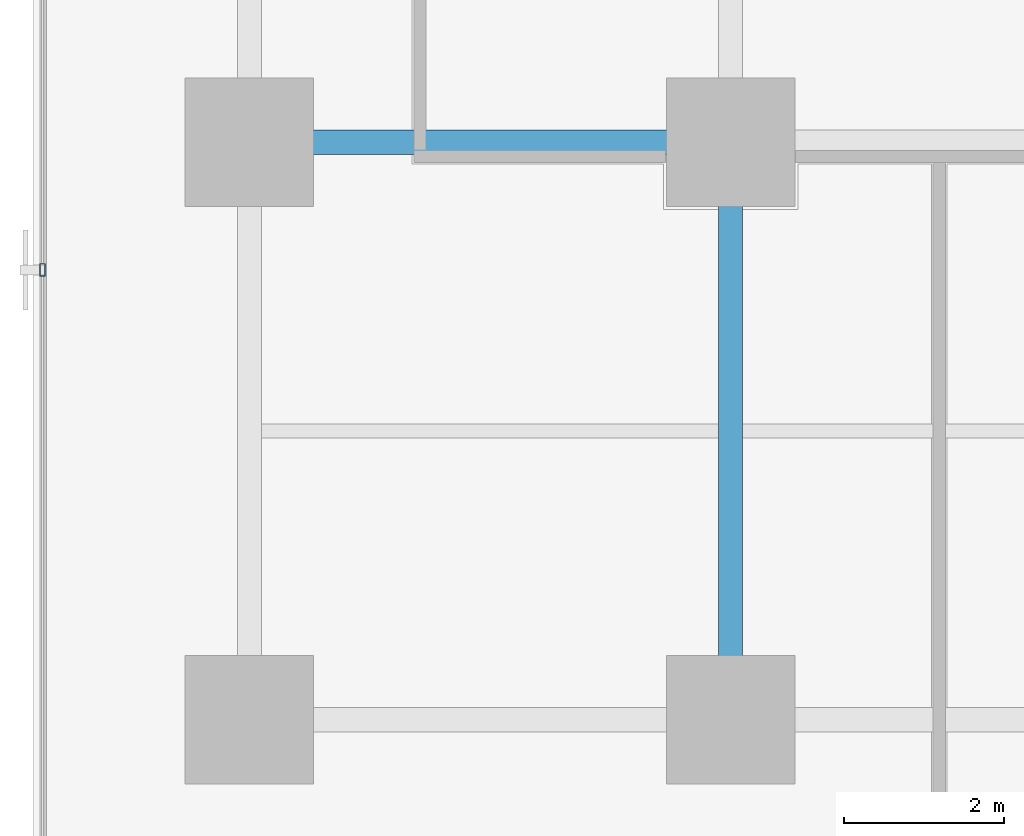
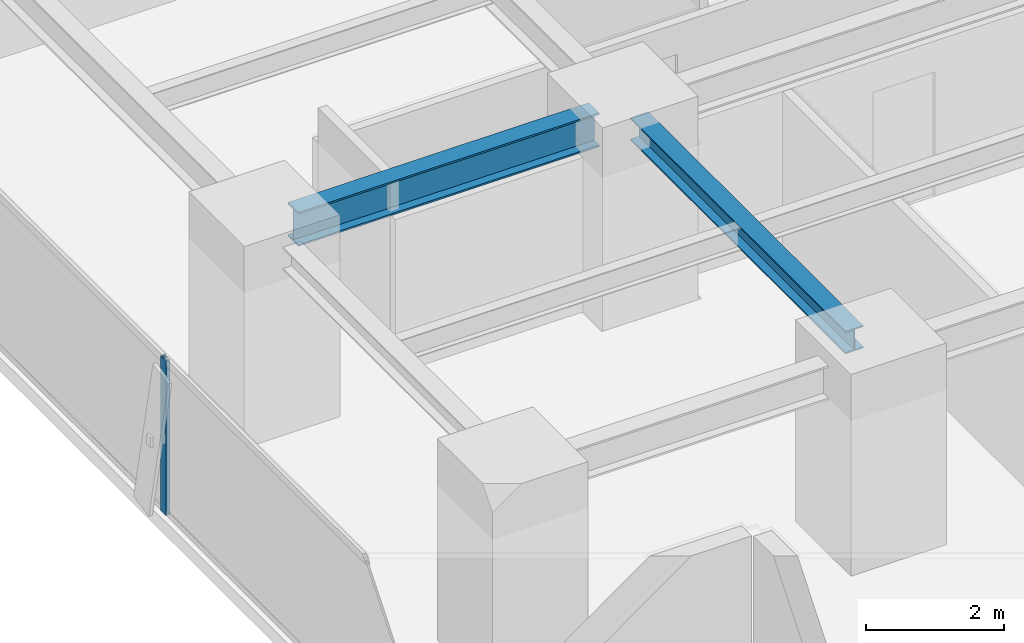
# One storey, part 4 of 37: 2 beams, 1 member, 1 element without a shape of its own.
"""IFC4 building model written with IfcOpenShell, lengths in metres."""

from ifc_helpers import new_model, si_unit, direction, frame, origin, origin_2d, place, context, subcontext, project, spatial, hollow_rectangle, i_section, extrude, source, transform, mapped, material, layer, layer_set, material_profile, profile_set, type_object, element, aggregate, save


model = new_model("IFC4")

# Units and contexts
model_context = context("Model", 3, precision=1e-05, world=origin(), true_north=direction((0.0, 1.0)))
body_context = subcontext(model_context, "Body", "Model", "MODEL_VIEW")
ifc_project = project(units=[si_unit("LENGTHUNIT", "METRE"), si_unit("AREAUNIT", "SQUARE_METRE"), si_unit("VOLUMEUNIT", "CUBIC_METRE"), si_unit("PLANEANGLEUNIT", "RADIAN"), si_unit("MASSUNIT", "GRAM", prefix="KILO")], contexts=[model_context])

# Site, building, storey
site_placement = place(None, origin())
site = spatial("IfcSite", under=ifc_project, at=site_placement, CompositionType="ELEMENT")
building_placement = place(site_placement, origin())
building = spatial("IfcBuilding", under=site, at=building_placement, Name="Sumidabori Civic Tower", CompositionType="ELEMENT")
storey_placement = place(building_placement, frame((0.0, 0.0, 95.60009765625)))
storey = spatial("IfcBuildingStorey", under=building, at=storey_placement, Name="L24", CompositionType="ELEMENT", Elevation=95.60009765625)

# Beams
ifc_material_1 = material(Name="Steel SN490", Category="steel")
ifc_material_profile_1 = material_profile(ifc_material_1, i_section(OverallWidth=0.300048828125, OverallDepth=0.60009765625, WebThickness=0.015380859375, FlangeThickness=0.030029296875, at=origin_2d()), Name="HE 600 B")
ifc_profile_set_1 = profile_set([ifc_material_profile_1], Name="Steel SN490")
beam_type_1 = type_object("IfcBeamType", Name="BM-GIRD-600", PredefinedType="BEAM", material=ifc_profile_set_1)
shared_shape_1 = source(origin(), body_context, "Body", "SweptSolid", [
    extrude(i_section(OverallWidth=0.300048828125, OverallDepth=0.60009765625, WebThickness=0.015380859375, FlangeThickness=0.030029296875, at=origin_2d()), origin(), (0.0, 0.0, 1.0), 5.0400390625),
])
beam_1_placement = place(storey_placement, frame((-22.320068359375, -10.800048828125, 3.059814453125), z_axis=(1.0, 0.0, 0.0), x_axis=(0.0, 1.0, 0.0)))
element("IfcBeam", 1, at=beam_1_placement, inside=storey, type_object=beam_type_1, Name="Primary Girder L24 GX-07", PredefinedType="BEAM", context=body_context, shape_type="MappedRepresentation", body=[
    mapped(shared_shape_1, transform((0.0, 0.0, 0.0), x_axis=(1.0, 0.0, 0.0), y_axis=(0.0, 1.0, 0.0), z_axis=(0.0, 0.0, 1.0), scale=1.0)),
])
ifc_material_profile_2 = material_profile(ifc_material_1, i_section(OverallWidth=0.300048828125, OverallDepth=0.39990234375, WebThickness=0.013427734375, FlangeThickness=0.02392578125, at=origin_2d()), Name="HE 400 B")
ifc_profile_set_2 = profile_set([ifc_material_profile_2], Name="Steel SN490")
beam_type_2 = type_object("IfcBeamType", Name="BM-GIRD-400", PredefinedType="BEAM", material=ifc_profile_set_2)
shared_shape_2 = source(origin(), body_context, "Body", "SweptSolid", [
    extrude(i_section(OverallWidth=0.300048828125, OverallDepth=0.39990234375, WebThickness=0.013427734375, FlangeThickness=0.02392578125, at=origin_2d()), origin(), (0.0, 0.0, 1.0), 6.239990234375),
])
beam_2_placement = place(storey_placement, frame((-16.800048828125, -17.52001953125, 3.159912109375), z_axis=(0.0, 1.0, 0.0), x_axis=(-1.0, 0.0, 0.0)))
element("IfcBeam", 2, at=beam_2_placement, inside=storey, type_object=beam_type_2, Name="Primary Girder L24 GY-25", PredefinedType="BEAM", context=body_context, shape_type="MappedRepresentation", body=[
    mapped(shared_shape_2, transform((0.0, 0.0, 0.0), x_axis=(1.0, 0.0, 0.0), y_axis=(0.0, 1.0, 0.0), z_axis=(0.0, 0.0, 1.0), scale=1.0)),
])

# Curtain wall, member
ifc_material_2 = material(Name="Anodised Bronze Aluminium AW-6063-T6", Category="aluminium")
ifc_layer = layer(ifc_material_2, 0.179931640625, Name="Anodised Bronze Aluminium AW-6063-T6")
ifc_layer_set = layer_set([ifc_layer], Name="Anodised Bronze Aluminium AW-6063-T6")
curtain_wall_type = type_object("IfcCurtainWallType", Name="CW-SYS-3", PredefinedType="NOTDEFINED", material=ifc_layer_set)
curtain_wall_placement = place(storey_placement, origin())
curtain_wall = element("IfcCurtainWall", 3, at=curtain_wall_placement, inside=storey, type_object=curtain_wall_type, Name="Curtain Wall CW:L24:R10", PredefinedType="NOTDEFINED")
ifc_material_profile_3 = material_profile(ifc_material_2, hollow_rectangle(XDim=0.06494140625, YDim=0.159912109375, WallThickness=0.0048828125, at=origin_2d()), Name="ALU MULLION 160x65")
ifc_profile_set_3 = profile_set([ifc_material_profile_3], Name="Anodised Bronze Aluminium AW-6063-T6")
member_type = type_object("IfcMemberType", Name="CW-MUL-160", PredefinedType="MULLION", material=ifc_profile_set_3)
shared_shape_3 = source(origin(), body_context, "Body", "SweptSolid", [
    extrude(hollow_rectangle(XDim=0.06494140625, YDim=0.159912109375, WallThickness=0.0048828125, at=origin_2d()), origin(), (0.0, 0.0, 1.0), 2.739990234375),
])
member_placement = place(storey_placement, frame((-25.3798828125, -12.39208984375, 0.0), z_axis=(0.0, 0.0, 1.0), x_axis=(1.0, 0.0, 0.0)))
member = element("IfcMember", 4, at=member_placement, type_object=member_type, Name="CW-3 mullion 5", PredefinedType="MULLION", context=body_context, shape_type="MappedRepresentation", body=[
    mapped(shared_shape_3, transform((0.0, 0.0, 0.0), x_axis=(1.0, 0.0, 0.0), y_axis=(0.0, 1.0, 0.0), z_axis=(0.0, 0.0, 1.0), scale=1.0)),
])
aggregate(curtain_wall, [member])

save(model, "model.ifc")
